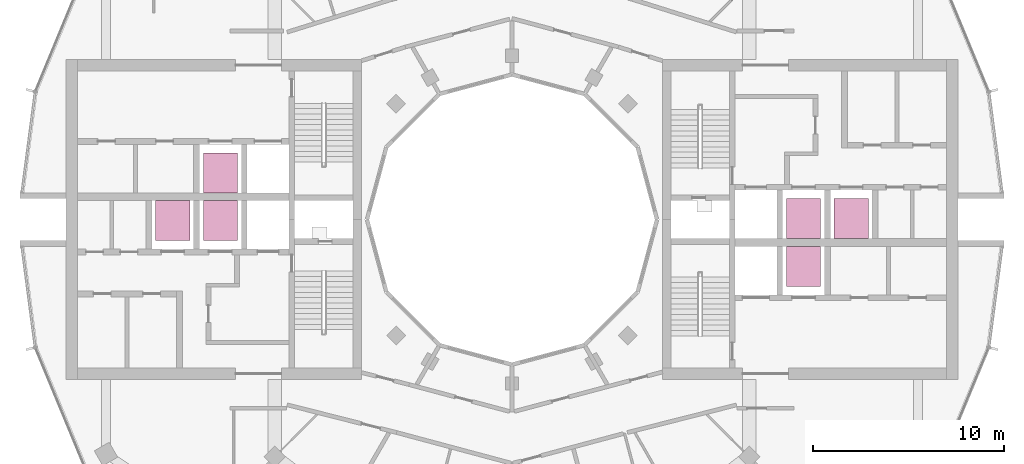
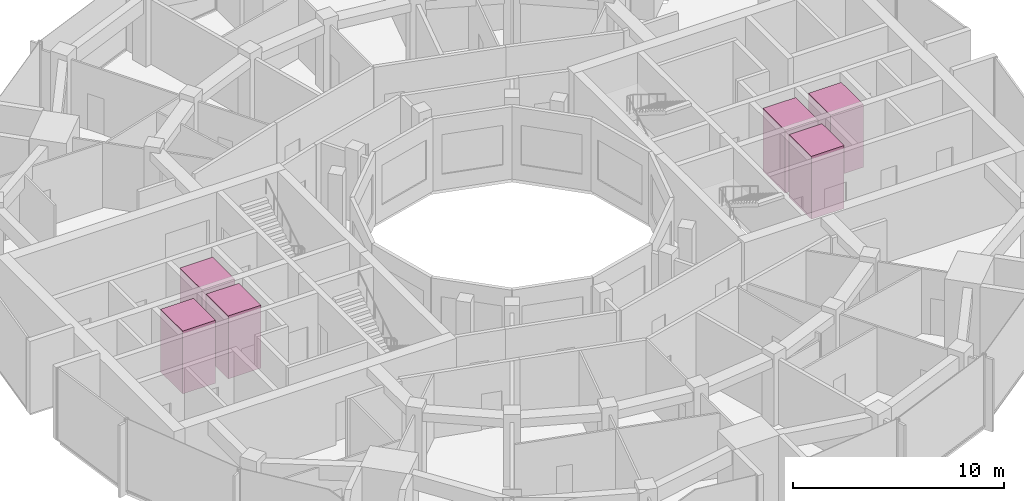
# One storey, part 15 of 15: 6 transport elements.
"""IFC4 building model written with IfcOpenShell, lengths in metres."""

from ifc_helpers import new_model, si_unit, direction, frame, origin, origin_2d, place, context, subcontext, project, spatial, rectangle, extrude, material, type_object, element, save


model = new_model("IFC4")

# Units and contexts
model_context = context("Model", 3, precision=1e-05, world=origin(), true_north=direction((0.0, 1.0)))
body_context = subcontext(model_context, "Body", "Model", "MODEL_VIEW")
ifc_project = project(units=[si_unit("LENGTHUNIT", "METRE"), si_unit("AREAUNIT", "SQUARE_METRE"), si_unit("VOLUMEUNIT", "CUBIC_METRE"), si_unit("PLANEANGLEUNIT", "RADIAN"), si_unit("MASSUNIT", "GRAM", prefix="KILO")], contexts=[model_context])

# Site, building, storey
site_placement = place(None, origin())
site = spatial("IfcSite", under=ifc_project, at=site_placement, CompositionType="ELEMENT")
building_placement = place(site_placement, origin())
building = spatial("IfcBuilding", under=site, at=building_placement, Name="Torre Brocal", CompositionType="ELEMENT")
storey_placement = place(building_placement, frame((0.0, 0.0, 245.699951171875)))
storey = spatial("IfcBuildingStorey", under=building, at=storey_placement, Name="L56", CompositionType="ELEMENT", Elevation=245.699951171875)

# Transport elements
ifc_material = material(Name="Stainless steel AISI 316", Category="steel")
transport_element_type = type_object("IfcTransportElementType", Name="PASSENGER LIFT", PredefinedType="ELEVATOR", material=ifc_material)
for number, where, z_axis, x_axis, name in (
    (1, (95.300048828125, 75.050048828125, 0.0), (0.0, 0.0, 1.0), (1.0, 0.0, 0.0), "HIGH RISE LIFT E-HR1"),
    (2, (95.300048828125, 72.550048828125, 0.0), (0.0, 0.0, 1.0), (1.0, 0.0, 0.0), "HIGH RISE LIFT E-HR2"),
    (3, (97.800048828125, 75.050048828125, 0.0), (0.0, 0.0, 1.0), (1.0, 0.0, 0.0), "HIGH RISE LIFT E-HR3"),
    (4, (64.699951171875, 74.949951171875, 0.0), (0.0, 0.0, 1.0), (1.0, 0.0, 0.0), "HIGH RISE LIFT W-HR1"),
    (5, (64.699951171875, 77.449951171875, 0.0), (0.0, 0.0, 1.0), (1.0, 0.0, 0.0), "HIGH RISE LIFT W-HR2"),
    (6, (62.199951171875, 74.949951171875, 0.0), (0.0, 0.0, 1.0), (1.0, 0.0, 0.0), "HIGH RISE LIFT W-HR3"),
):
    element("IfcTransportElement", number, at=place(storey_placement, frame(where, z_axis=z_axis, x_axis=x_axis)), inside=storey, type_object=transport_element_type, Name=name, PredefinedType="ELEVATOR", context=body_context, shape_type="SweptSolid", body=[
        extrude(rectangle(XDim=1.800048828125, YDim=2.10009765625, at=origin_2d()), origin(), (0.0, 0.0, 1.0), 3.64990234375),
    ])

save(model, "model.ifc")
